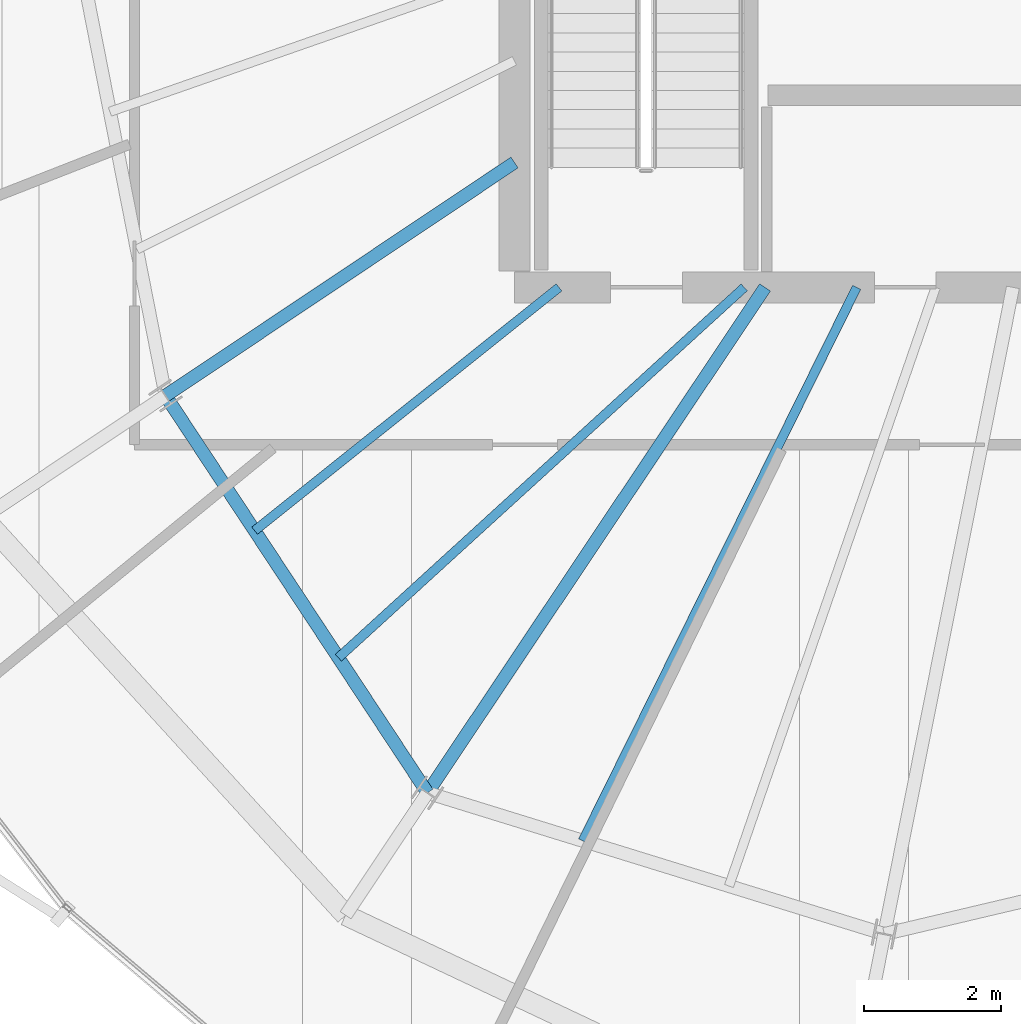
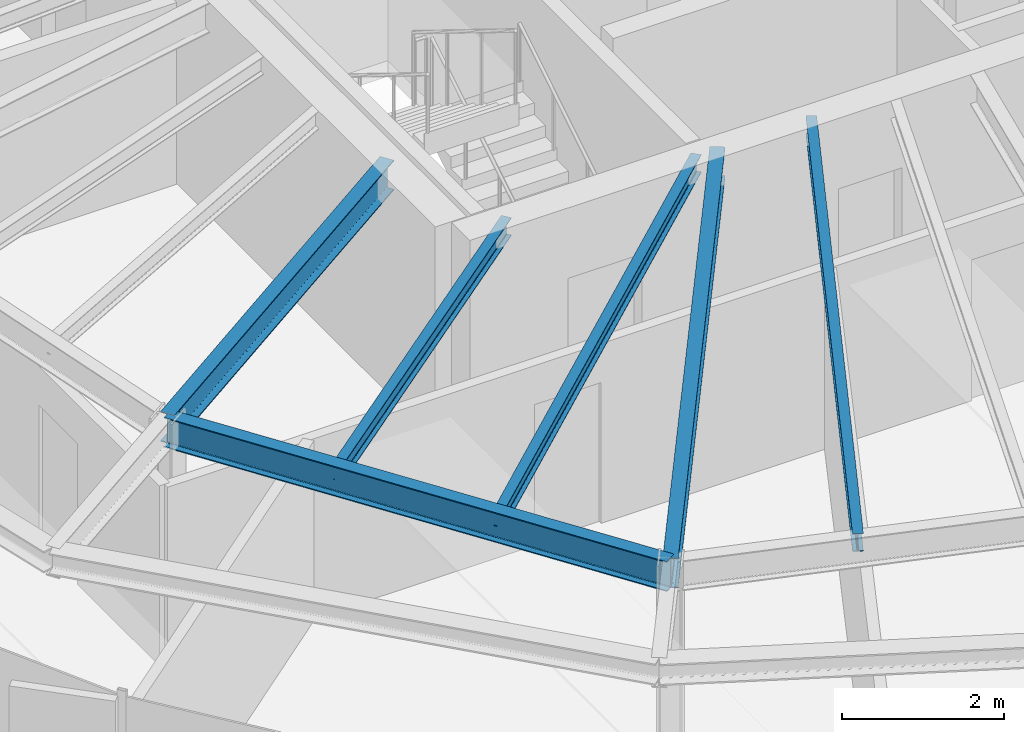
# One storey, part 5 of 34: 6 beams.
"""IFC4 building model written with IfcOpenShell, lengths in metres."""

import ifcopenshell
import ifcopenshell.guid

model = None  # the IFC model being written
_history = None  # IfcOwnerHistory: only IFC2X3 demands one
_inside = {}  # id of a spatial element -> (the spatial element, [elements in it])
_under = {}  # id of a project, library or spatial element -> (it, [spatial elements below it])
_declared = {}  # id of a project -> (the project, [libraries it declares])
_typed = {}  # id of a type object -> (the type object, [elements of that type])
_made_of = {}  # id of a material, layer set ... -> (it, [elements and type objects made of it])


def new_model(schema):
    """Start an empty IFC model of exactly this schema.

    Asked for "IFC4X3", IfcOpenShell would pick the latest addendum, in which some entities
    have other attributes; the version numbers below select the first issue.
    IFC2X3 requires an IfcOwnerHistory on every rooted entity: one is made here for all.
    """
    global model, _history
    if schema == "IFC4X3":
        model = ifcopenshell.file(schema_version=(4, 3, 0, 0))
    else:
        model = ifcopenshell.file(schema=schema)
    _inside.clear()
    _under.clear()
    _declared.clear()
    _typed.clear()
    _made_of.clear()
    _history = None
    if model.schema == "IFC2X3":
        org = make("IfcOrganization", Name="unknown")
        user = make(
            "IfcPersonAndOrganization",
            ThePerson=make("IfcPerson", FamilyName="unknown"),
            TheOrganization=org,
        )
        app = make(
            "IfcApplication",
            ApplicationDeveloper=org,
            Version="unknown",
            ApplicationFullName="unknown",
            ApplicationIdentifier="unknown",
        )
        _history = make(
            "IfcOwnerHistory",
            OwningUser=user,
            OwningApplication=app,
            ChangeAction="ADDED",
            CreationDate=0,
        )
    return model


def make(cls, **values):
    """One entity of the class cls with the attributes given. An attribute that is None is left unset."""
    return model.create_entity(
        cls, **{name: value for name, value in values.items() if value is not None}
    )


def rooted(cls, **values):
    """An entity with a GlobalId (a new one), such as an element, a storey or a relation."""
    return make(cls, GlobalId=ifcopenshell.guid.new(), OwnerHistory=_history, **values)


def si_unit(unit_type, name, prefix=None):
    """IfcSIUnit, for example si_unit("LENGTHUNIT", "METRE", prefix="MILLI")."""
    return make("IfcSIUnit", UnitType=unit_type, Prefix=prefix, Name=name)


def assignment(units):
    """IfcUnitAssignment: the units of a project."""
    return None if units is None else make("IfcUnitAssignment", Units=units)


def point(xyz):
    """IfcCartesianPoint."""
    return None if xyz is None else make("IfcCartesianPoint", Coordinates=xyz)


def direction(xyz):
    """IfcDirection."""
    return None if xyz is None else make("IfcDirection", DirectionRatios=xyz)


def frame(location, z_axis=None, x_axis=None):
    """IfcAxis2Placement3D, a coordinate frame: its origin and axes. An axis left out is left unset."""
    return make(
        "IfcAxis2Placement3D",
        Location=point(location),
        Axis=direction(z_axis),
        RefDirection=direction(x_axis),
    )


def frame_2d(location, x_axis=None):
    """IfcAxis2Placement2D, a coordinate frame in the plane: its origin and x axis."""
    return make(
        "IfcAxis2Placement2D", Location=point(location), RefDirection=direction(x_axis)
    )


def origin():
    """The frame at (0, 0, 0) with its axes left unset."""
    return frame((0.0, 0.0, 0.0))


def origin_2d():
    """The frame at (0, 0) in the plane with its x axis left unset."""
    return frame_2d((0.0, 0.0))


def place(relative_to, where):
    """IfcLocalPlacement: puts the frame where relative to a parent placement (None: the world)."""
    return make(
        "IfcLocalPlacement", PlacementRelTo=relative_to, RelativePlacement=where
    )


def context(
    kind, dimensions, precision=None, world=None, true_north=None, identifier=None
):
    """IfcGeometricRepresentationContext, for example the 3D "Model" context."""
    return make(
        "IfcGeometricRepresentationContext",
        ContextIdentifier=identifier,
        ContextType=kind,
        CoordinateSpaceDimension=dimensions,
        Precision=precision,
        WorldCoordinateSystem=world,
        TrueNorth=true_north,
    )


def subcontext(parent, identifier, kind, view, scale=None):
    """IfcGeometricRepresentationSubContext, for example "Body" below "Model"."""
    return make(
        "IfcGeometricRepresentationSubContext",
        ContextIdentifier=identifier,
        ContextType=kind,
        ParentContext=parent,
        TargetScale=scale,
        TargetView=view,
    )


def project(units=None, contexts=None):
    """IfcProject with its units and contexts."""
    return rooted(
        "IfcProject",
        Name="project",
        RepresentationContexts=contexts,
        UnitsInContext=assignment(units),
    )


def spatial(cls, under=None, at=None, **own):
    """A site, building, storey or space (cls), placed at a placement, below another one or the project."""
    s = rooted(cls, ObjectPlacement=at, **own)
    if under is not None:
        _under.setdefault(under.id(), (under, []))[1].append(s)
    return s


def profile(cls, at=None, kind="AREA", **sizes):
    """A parametric profile (cls). Its sizes go by their IFC names, for example OverallWidth=200.0."""
    return make(cls, ProfileType=kind, Position=at, **sizes)


def i_section(**sizes):
    """IfcIShapeProfileDef."""
    return profile("IfcIShapeProfileDef", **sizes)


def extrude(swept, where, along, depth):
    """IfcExtrudedAreaSolid: the profile swept, set in the frame where, extruded along a direction by depth."""
    return make(
        "IfcExtrudedAreaSolid",
        SweptArea=swept,
        Position=where,
        ExtrudedDirection=direction(along),
        Depth=depth,
    )


def shape(context_of_items, identifier, shape_type, items):
    """IfcShapeRepresentation: the items that make up one representation, for example the "Body"."""
    return make(
        "IfcShapeRepresentation",
        ContextOfItems=context_of_items,
        RepresentationIdentifier=identifier,
        RepresentationType=shape_type,
        Items=items,
    )


def source(mapping_origin, context_of_items, identifier, shape_type, items):
    """IfcRepresentationMap: a shape defined once, which mapped items show again and again."""
    return make(
        "IfcRepresentationMap",
        MappingOrigin=mapping_origin,
        MappedRepresentation=shape(context_of_items, identifier, shape_type, items),
    )


def transform(
    local_origin,
    x_axis=None,
    y_axis=None,
    z_axis=None,
    scale=None,
    scale2=None,
    scale3=None,
    uniform=True,
):
    """IfcCartesianTransformationOperator3D, or its non-uniform kind. x_axis, y_axis, z_axis: its Axis1, 2, 3."""
    if uniform:
        return make(
            "IfcCartesianTransformationOperator3D",
            Axis1=direction(x_axis),
            Axis2=direction(y_axis),
            LocalOrigin=point(local_origin),
            Scale=scale,
            Axis3=direction(z_axis),
        )
    return make(
        "IfcCartesianTransformationOperator3DnonUniform",
        Axis1=direction(x_axis),
        Axis2=direction(y_axis),
        LocalOrigin=point(local_origin),
        Scale=scale,
        Axis3=direction(z_axis),
        Scale2=scale2,
        Scale3=scale3,
    )


def mapped(mapping_source, mapping_target):
    """IfcMappedItem: shows the shape of a source again, moved by a transform."""
    return make(
        "IfcMappedItem", MappingSource=mapping_source, MappingTarget=mapping_target
    )


def material(Name=None, Category=None):
    """IfcMaterial."""
    return make("IfcMaterial", Name=Name, Category=Category)


def material_profile(
    of_material, cross_section, Name=None, Category=None, Priority=None
):
    """IfcMaterialProfile: a cross section and its material."""
    return make(
        "IfcMaterialProfile",
        Name=Name,
        Material=of_material,
        Profile=cross_section,
        Priority=Priority,
        Category=Category,
    )


def profile_set(profiles, Name=None, composite=None):
    """IfcMaterialProfileSet."""
    return make(
        "IfcMaterialProfileSet",
        Name=Name,
        MaterialProfiles=profiles,
        CompositeProfile=composite,
    )


def made_of(thing, what):
    """Note that an element or type object is made of a material, layer set ...; save() writes the relation."""
    if what is not None:
        _made_of.setdefault(what.id(), (what, []))[1].append(thing)
    return thing


def type_object(cls, material=None, **own):
    """A type object (cls), such as IfcWallType, which elements share."""
    return made_of(rooted(cls, **own), material)


def element(
    cls,
    number,
    at=None,
    inside=None,
    cuts=None,
    type_object=None,
    material=None,
    context=None,
    identifier="Body",
    shape_type=None,
    held_by="IfcProductDefinitionShape",
    body=None,
    shapes=None,
    **own,
):
    """One element of the class cls, such as IfcWall. Its Tag is "e" and its number.

    at: its placement. inside: the storey or other place that contains it. cuts: it is an
    opening in that element (IfcRelVoidsElement). A single representation is given by context,
    identifier, shape_type and body (its items); several are given by shapes. held_by: the class
    of the entity that holds the representations. save() writes the other relations.
    """
    e = rooted(cls, Tag="e%d" % number, ObjectPlacement=at, **own)
    if body is not None:
        shapes = [shape(context, identifier, shape_type, body)]
    if shapes is not None:
        e.Representation = make(held_by, Representations=shapes)
    if inside is not None:
        _inside.setdefault(inside.id(), (inside, []))[1].append(e)
    if cuts is not None:
        rooted(
            "IfcRelVoidsElement", RelatingBuildingElement=cuts, RelatedOpeningElement=e
        )
    if type_object is not None:
        _typed.setdefault(type_object.id(), (type_object, []))[1].append(e)
    return made_of(e, material)


def aggregate(whole, parts):
    """IfcRelAggregates: a whole, such as a stair, and the parts it consists of."""
    return rooted("IfcRelAggregates", RelatingObject=whole, RelatedObjects=parts)


def save(model, path):
    """Write the relations noted so far, then the file.

    IfcRelAggregates (storeys below a building ...), IfcRelContainedInSpatialStructure (elements
    in a storey), IfcRelDefinesByType, IfcRelAssociatesMaterial and IfcRelDeclares: one each for
    every whole, place, type object, material and project.
    """
    for whole, parts in _under.values():
        aggregate(whole, parts)
    for where, things in _inside.values():
        rooted(
            "IfcRelContainedInSpatialStructure",
            RelatedElements=things,
            RelatingStructure=where,
        )
    for kind, things in _typed.values():
        rooted("IfcRelDefinesByType", RelatedObjects=things, RelatingType=kind)
    for what, things in _made_of.values():
        rooted("IfcRelAssociatesMaterial", RelatedObjects=things, RelatingMaterial=what)
    for by, libraries in _declared.values():
        rooted("IfcRelDeclares", RelatingContext=by, RelatedDefinitions=libraries)
    model.write(path)


model = new_model("IFC4")

# Units and contexts
model_context = context("Model", 3, precision=1e-05, world=origin(), true_north=direction((0.0, 1.0)))
body_context = subcontext(model_context, "Body", "Model", "MODEL_VIEW")
ifc_project = project(units=[si_unit("LENGTHUNIT", "METRE"), si_unit("AREAUNIT", "SQUARE_METRE"), si_unit("VOLUMEUNIT", "CUBIC_METRE"), si_unit("PLANEANGLEUNIT", "RADIAN"), si_unit("MASSUNIT", "GRAM", prefix="KILO"), si_unit("THERMODYNAMICTEMPERATUREUNIT", "KELVIN")], contexts=[model_context])

# Site, building, storey
site_placement = place(None, origin())
site = spatial("IfcSite", under=ifc_project, at=site_placement, CompositionType="ELEMENT")
building_placement = place(site_placement, origin())
building = spatial("IfcBuilding", under=site, at=building_placement, Name="Kethvar Cultural Tower", CompositionType="ELEMENT")
storey_placement = place(building_placement, frame((0.0, 0.0, 259.449951171875)))
storey = spatial("IfcBuildingStorey", under=building, at=storey_placement, Name="L68", CompositionType="ELEMENT", Elevation=259.449951171875)

# Beams
ifc_material = material(Name="Steel S355J2", Category="steel")
ifc_material_profile_1 = material_profile(ifc_material, i_section(OverallWidth=0.18994140625, OverallDepth=0.449951171875, WebThickness=0.009521484375, FlangeThickness=0.0146484375, FilletRadius=0.02099609375, at=origin_2d()), Name="Steel S355J2 — IPE450")
ifc_profile_set_1 = profile_set([ifc_material_profile_1], Name="Steel S355J2 — IPE450")
beam_type_1 = type_object("IfcBeamType", Name="BM-IPE450", PredefinedType="BEAM", material=ifc_profile_set_1)
shared_shape_1 = source(origin(), body_context, "Body", "SweptSolid", [
    extrude(i_section(OverallWidth=0.18994140625, OverallDepth=0.449951171875, WebThickness=0.009521484375, FlangeThickness=0.0146484375, FilletRadius=0.02099609375, at=origin_2d()), origin(), (0.0, 0.0, 1.0), 6.118408203125),
])
beam_1_placement = place(storey_placement, frame((38.0, 21.920166015625, 2.983154296875), z_axis=(-0.831466631282, -0.555574694406, 0.0), x_axis=(0.555574694406, -0.831466631282, 0.0)))
element("IfcBeam", 1, at=beam_1_placement, inside=storey, type_object=beam_type_1, Name="L68 Primary Radial Beam RB-10", PredefinedType="BEAM", context=body_context, shape_type="MappedRepresentation", body=[
    mapped(shared_shape_1, transform((0.0, 0.0, 0.0), scale=1.0)),
])
shared_shape_2 = source(origin(), body_context, "Body", "SweptSolid", [
    extrude(i_section(OverallWidth=0.18994140625, OverallDepth=0.449951171875, WebThickness=0.009521484375, FlangeThickness=0.0146484375, FilletRadius=0.02099609375, at=origin_2d()), origin(), (0.0, 0.0, 1.0), 8.86279296875),
])
beam_2_placement = place(storey_placement, frame((41.655029296875, 20.10009765625, 2.983154296875), z_axis=(-0.555564443415, -0.831473480764, 0.0), x_axis=(0.831473480764, -0.555564443415, 0.0)))
element("IfcBeam", 2, at=beam_2_placement, inside=storey, type_object=beam_type_1, Name="L68 Primary Radial Beam RB-11", PredefinedType="BEAM", context=body_context, shape_type="MappedRepresentation", body=[
    mapped(shared_shape_2, transform((0.0, 0.0, 0.0), scale=1.0)),
])
shared_shape_3 = source(origin(), body_context, "Body", "SweptSolid", [
    extrude(i_section(OverallWidth=0.18994140625, OverallDepth=0.449951171875, WebThickness=0.009521484375, FlangeThickness=0.0146484375, FilletRadius=0.02099609375, at=origin_2d()), origin(), (0.0, 0.0, 1.0), 6.935791015625),
])
beam_3_placement = place(storey_placement, frame((32.912841796875, 18.52099609375, 2.983154296875), z_axis=(0.550534204139, -0.834812607759, 0.0), x_axis=(0.834812607759, 0.550534204139, 0.0)))
element("IfcBeam", 3, at=beam_3_placement, inside=storey, type_object=beam_type_1, Name="L68 Column Ring Tie Beam CR-10", PredefinedType="BEAM", context=body_context, shape_type="MappedRepresentation", body=[
    mapped(shared_shape_3, transform((0.0, 0.0, 0.0), scale=1.0)),
])
ifc_material_profile_2 = material_profile(ifc_material, i_section(OverallWidth=0.135009765625, OverallDepth=0.27001953125, WebThickness=0.006591796875, FlangeThickness=0.01025390625, FilletRadius=0.014892578125, at=origin_2d()), Name="Steel S355J2 — IPE270")
ifc_profile_set_2 = profile_set([ifc_material_profile_2], Name="Steel S355J2 — IPE270")
beam_type_2 = type_object("IfcBeamType", Name="BM-J270", PredefinedType="JOIST", material=ifc_profile_set_2)
shared_shape_4 = source(origin(), body_context, "Body", "SweptSolid", [
    extrude(i_section(OverallWidth=0.135009765625, OverallDepth=0.27001953125, WebThickness=0.006591796875, FlangeThickness=0.01025390625, FilletRadius=0.014892578125, at=origin_2d()), origin(), (0.0, 0.0, 1.0), 5.68212890625),
])
beam_4_placement = place(storey_placement, frame((38.64990234375, 20.10009765625, 3.072998046875), z_axis=(-0.781157957733, -0.624333440615, 0.0), x_axis=(0.624333440615, -0.781157957733, 0.0)))
element("IfcBeam", 4, at=beam_4_placement, inside=storey, type_object=beam_type_2, Name="L68 Composite Floor Joist J-10A", PredefinedType="JOIST", context=body_context, shape_type="MappedRepresentation", body=[
    mapped(shared_shape_4, transform((0.0, 0.0, 0.0), scale=1.0)),
])
shared_shape_5 = source(origin(), body_context, "Body", "SweptSolid", [
    extrude(i_section(OverallWidth=0.135009765625, OverallDepth=0.27001953125, WebThickness=0.006591796875, FlangeThickness=0.01025390625, FilletRadius=0.014892578125, at=origin_2d()), origin(), (0.0, 0.0, 1.0), 8.010986328125),
])
beam_5_placement = place(storey_placement, frame((41.35009765625, 20.10009765625, 3.072998046875), z_axis=(-0.738614798856, -0.674127717061, 0.0), x_axis=(0.674127717061, -0.738614798856, 0.0)))
element("IfcBeam", 5, at=beam_5_placement, inside=storey, type_object=beam_type_2, Name="L68 Composite Floor Joist J-10B", PredefinedType="JOIST", context=body_context, shape_type="MappedRepresentation", body=[
    mapped(shared_shape_5, transform((0.0, 0.0, 0.0), scale=1.0)),
])
shared_shape_6 = source(origin(), body_context, "Body", "SweptSolid", [
    extrude(i_section(OverallWidth=0.135009765625, OverallDepth=0.27001953125, WebThickness=0.006591796875, FlangeThickness=0.01025390625, FilletRadius=0.014892578125, at=origin_2d()), origin(), (0.0, 0.0, 1.0), 9.00341796875),
])
beam_6_placement = place(storey_placement, frame((42.989501953125, 20.10009765625, 3.072998046875), z_axis=(-0.443543695319, -0.896252749141, 0.0), x_axis=(0.896252749141, -0.443543695319, 0.0)))
element("IfcBeam", 6, at=beam_6_placement, inside=storey, type_object=beam_type_2, Name="L68 Composite Floor Joist J-11A", PredefinedType="JOIST", context=body_context, shape_type="MappedRepresentation", body=[
    mapped(shared_shape_6, transform((0.0, 0.0, 0.0), scale=1.0)),
])

save(model, "model.ifc")
